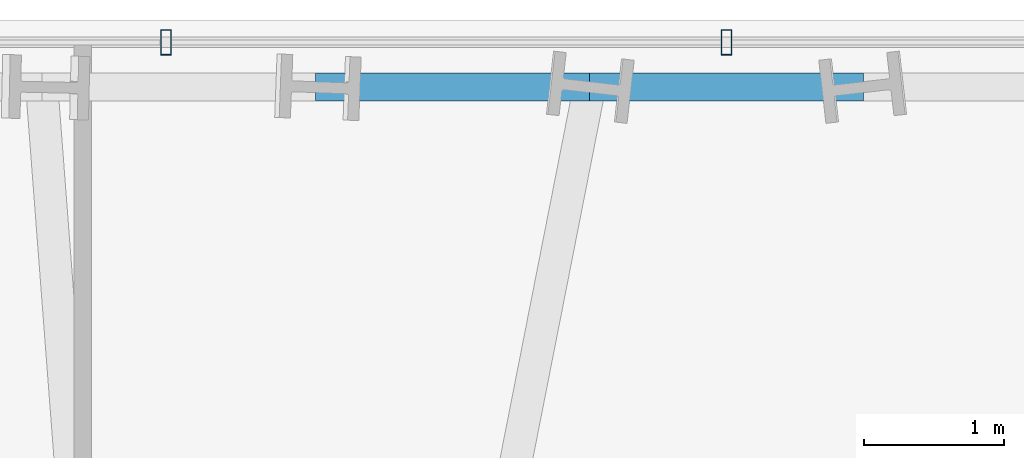
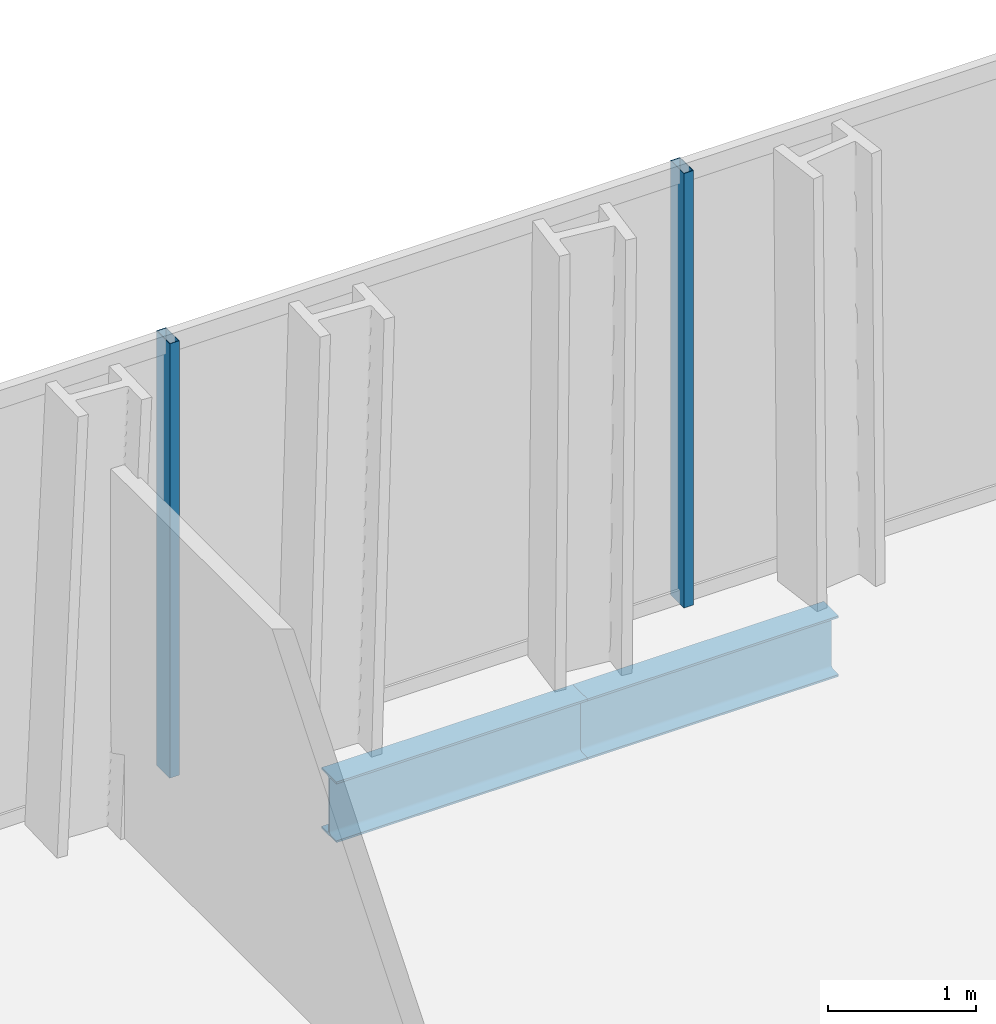
# One storey, part 22 of 32: 2 beams, 2 members, 1 element without a shape of its own.
"""IFC4 building model written with IfcOpenShell, lengths in metres."""

from ifc_helpers import new_model, si_unit, direction, frame, origin, origin_2d, place, context, subcontext, project, spatial, hollow_rectangle, i_section, extrude, material, layer, layer_set, material_profile, profile_set, type_object, element, aggregate, save


model = new_model("IFC4")

# Units and contexts
model_context = context("Model", 3, precision=1e-05, world=origin(), true_north=direction((0.0, 1.0)))
body_context = subcontext(model_context, "Body", "Model", "MODEL_VIEW")
ifc_project = project(units=[si_unit("LENGTHUNIT", "METRE"), si_unit("AREAUNIT", "SQUARE_METRE"), si_unit("VOLUMEUNIT", "CUBIC_METRE"), si_unit("PLANEANGLEUNIT", "RADIAN"), si_unit("MASSUNIT", "GRAM", prefix="KILO")], contexts=[model_context])

# Site, building, storey
site_placement = place(None, origin())
site = spatial("IfcSite", under=ifc_project, at=site_placement, CompositionType="ELEMENT")
building_placement = place(site_placement, origin())
building = spatial("IfcBuilding", under=site, at=building_placement, Name="Ndaravel Arena Tower", CompositionType="ELEMENT")
storey_placement = place(building_placement, frame((0.0, 0.0, 55.0)))
storey = spatial("IfcBuildingStorey", under=building, at=storey_placement, Name="L11", CompositionType="ELEMENT", Elevation=55.0)

# Beams
ifc_material_1 = material(Name="Steel S355", Category="steel")
ifc_material_profile_1 = material_profile(ifc_material_1, i_section(OverallWidth=0.199951171875, OverallDepth=0.5, WebThickness=0.01025390625, FlangeThickness=0.01611328125, FilletRadius=0.02099609375, at=origin_2d()), Name="IPE 500")
ifc_profile_set_1 = profile_set([ifc_material_profile_1], Name="Steel S355")
beam_type = type_object("IfcBeamType", Name="BM-SPAN-IPE500", PredefinedType="SPANDREL", material=ifc_profile_set_1)
beam_1_placement = place(storey_placement, frame((42.978515625, 45.531494140625, -0.469970703125), z_axis=(-1.0, 0.0, 0.0), x_axis=(0.0, -1.0, 0.0)))
element("IfcBeam", 1, at=beam_1_placement, inside=storey, type_object=beam_type, Name="L11 Perimeter Spandrel Beam SP-14", PredefinedType="SPANDREL", context=body_context, shape_type="SweptSolid", body=[
    extrude(i_section(OverallWidth=0.199951171875, OverallDepth=0.5, WebThickness=0.01025390625, FlangeThickness=0.01611328125, FilletRadius=0.02099609375, at=origin_2d()), origin(), (0.0, 0.0, 1.0), 1.95703125),
])
beam_2_placement = place(storey_placement, frame((41.021484375, 45.531494140625, -0.469970703125), z_axis=(-1.0, 0.0, 0.0), x_axis=(0.0, -1.0, 0.0)))
element("IfcBeam", 2, at=beam_2_placement, inside=storey, type_object=beam_type, Name="L11 Perimeter Spandrel Beam SP-15", PredefinedType="SPANDREL", context=body_context, shape_type="SweptSolid", body=[
    extrude(i_section(OverallWidth=0.199951171875, OverallDepth=0.5, WebThickness=0.01025390625, FlangeThickness=0.01611328125, FilletRadius=0.02099609375, at=origin_2d()), origin(), (0.0, 0.0, 1.0), 1.957275390625),
])

# Curtain wall, members
ifc_material_2 = material(Name="Aluminium", Category="aluminium")
ifc_layer = layer(ifc_material_2, 0.179931640625)
ifc_layer_set = layer_set([ifc_layer], Name="Aluminium")
curtain_wall_type = type_object("IfcCurtainWallType", Name="CW-SYS-01", PredefinedType="NOTDEFINED", material=ifc_layer_set)
curtain_wall_placement = place(storey_placement, origin())
curtain_wall = element("IfcCurtainWall", 3, at=curtain_wall_placement, inside=storey, type_object=curtain_wall_type, Name="L11 Faceted Crystal Curtain Wall CW-L11-E04", PredefinedType="NOTDEFINED")
ifc_material_3 = material(Name="Aluminium", Category="aluminium")
ifc_material_profile_2 = material_profile(ifc_material_3, hollow_rectangle(XDim=0.074951171875, YDim=0.179931640625, WallThickness=0.00390625, at=origin_2d()), Name="CW MULLION 75x180x4")
ifc_profile_set_2 = profile_set([ifc_material_profile_2], Name="Aluminium")
member_type = type_object("IfcMemberType", Name="MEM-CW-MUL180", PredefinedType="MULLION", material=ifc_profile_set_2)
member_1_placement = place(storey_placement, frame((42.0, 45.851318359375, 0.0), z_axis=(0.0, 0.0, 1.0), x_axis=(-1.0, 0.0, 0.0)))
member_1 = element("IfcMember", 4, at=member_1_placement, type_object=member_type, Name="CW-L11-E04 Mullion 02", PredefinedType="MULLION", context=body_context, shape_type="SweptSolid", body=[
    extrude(hollow_rectangle(XDim=0.074951171875, YDim=0.179931640625, WallThickness=0.00390625, at=origin_2d()), origin(), (0.0, 0.0, 1.0), 3.580078125),
])
member_2_placement = place(storey_placement, frame((37.993408203125, 45.851318359375, 0.0), z_axis=(0.0, 0.0, 1.0), x_axis=(-1.0, 0.0, 0.0)))
member_2 = element("IfcMember", 5, at=member_2_placement, type_object=member_type, Name="CW-L11-E04 Mullion 03", PredefinedType="MULLION", context=body_context, shape_type="SweptSolid", body=[
    extrude(hollow_rectangle(XDim=0.074951171875, YDim=0.179931640625, WallThickness=0.00390625, at=origin_2d()), origin(), (0.0, 0.0, 1.0), 3.580078125),
])
aggregate(curtain_wall, [member_1, member_2])

save(model, "model.ifc")
